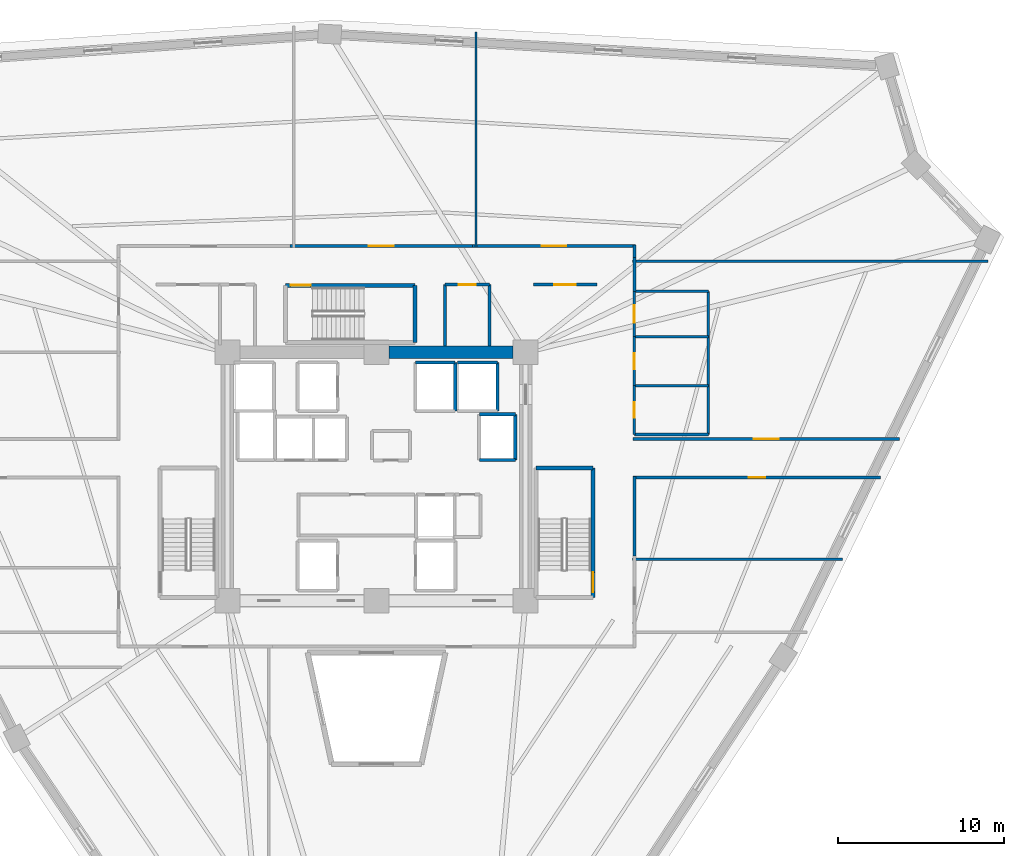
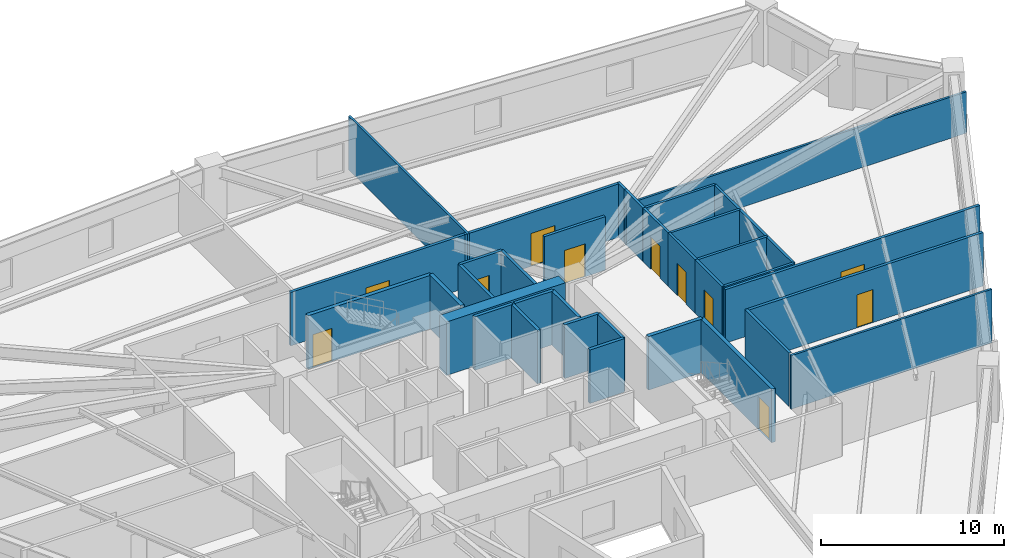
# One storey, part 6 of 8: 34 walls, 11 doors, 11 openings.
"""IFC4 building model written with IfcOpenShell, lengths in metres."""

import ifcopenshell
import ifcopenshell.guid

model = None  # the IFC model being written
_history = None  # IfcOwnerHistory: only IFC2X3 demands one
_inside = {}  # id of a spatial element -> (the spatial element, [elements in it])
_under = {}  # id of a project, library or spatial element -> (it, [spatial elements below it])
_declared = {}  # id of a project -> (the project, [libraries it declares])
_typed = {}  # id of a type object -> (the type object, [elements of that type])
_made_of = {}  # id of a material, layer set ... -> (it, [elements and type objects made of it])


def new_model(schema):
    """Start an empty IFC model of exactly this schema.

    Asked for "IFC4X3", IfcOpenShell would pick the latest addendum, in which some entities
    have other attributes; the version numbers below select the first issue.
    IFC2X3 requires an IfcOwnerHistory on every rooted entity: one is made here for all.
    """
    global model, _history
    if schema == "IFC4X3":
        model = ifcopenshell.file(schema_version=(4, 3, 0, 0))
    else:
        model = ifcopenshell.file(schema=schema)
    _inside.clear()
    _under.clear()
    _declared.clear()
    _typed.clear()
    _made_of.clear()
    _history = None
    if model.schema == "IFC2X3":
        org = make("IfcOrganization", Name="unknown")
        user = make(
            "IfcPersonAndOrganization",
            ThePerson=make("IfcPerson", FamilyName="unknown"),
            TheOrganization=org,
        )
        app = make(
            "IfcApplication",
            ApplicationDeveloper=org,
            Version="unknown",
            ApplicationFullName="unknown",
            ApplicationIdentifier="unknown",
        )
        _history = make(
            "IfcOwnerHistory",
            OwningUser=user,
            OwningApplication=app,
            ChangeAction="ADDED",
            CreationDate=0,
        )
    return model


def make(cls, **values):
    """One entity of the class cls with the attributes given. An attribute that is None is left unset."""
    return model.create_entity(
        cls, **{name: value for name, value in values.items() if value is not None}
    )


def rooted(cls, **values):
    """An entity with a GlobalId (a new one), such as an element, a storey or a relation."""
    return make(cls, GlobalId=ifcopenshell.guid.new(), OwnerHistory=_history, **values)


def si_unit(unit_type, name, prefix=None):
    """IfcSIUnit, for example si_unit("LENGTHUNIT", "METRE", prefix="MILLI")."""
    return make("IfcSIUnit", UnitType=unit_type, Prefix=prefix, Name=name)


def assignment(units):
    """IfcUnitAssignment: the units of a project."""
    return None if units is None else make("IfcUnitAssignment", Units=units)


def point(xyz):
    """IfcCartesianPoint."""
    return None if xyz is None else make("IfcCartesianPoint", Coordinates=xyz)


def direction(xyz):
    """IfcDirection."""
    return None if xyz is None else make("IfcDirection", DirectionRatios=xyz)


def frame(location, z_axis=None, x_axis=None):
    """IfcAxis2Placement3D, a coordinate frame: its origin and axes. An axis left out is left unset."""
    return make(
        "IfcAxis2Placement3D",
        Location=point(location),
        Axis=direction(z_axis),
        RefDirection=direction(x_axis),
    )


def frame_2d(location, x_axis=None):
    """IfcAxis2Placement2D, a coordinate frame in the plane: its origin and x axis."""
    return make(
        "IfcAxis2Placement2D", Location=point(location), RefDirection=direction(x_axis)
    )


def origin():
    """The frame at (0, 0, 0) with its axes left unset."""
    return frame((0.0, 0.0, 0.0))


def place(relative_to, where):
    """IfcLocalPlacement: puts the frame where relative to a parent placement (None: the world)."""
    return make(
        "IfcLocalPlacement", PlacementRelTo=relative_to, RelativePlacement=where
    )


def context(
    kind, dimensions, precision=None, world=None, true_north=None, identifier=None
):
    """IfcGeometricRepresentationContext, for example the 3D "Model" context."""
    return make(
        "IfcGeometricRepresentationContext",
        ContextIdentifier=identifier,
        ContextType=kind,
        CoordinateSpaceDimension=dimensions,
        Precision=precision,
        WorldCoordinateSystem=world,
        TrueNorth=true_north,
    )


def subcontext(parent, identifier, kind, view, scale=None):
    """IfcGeometricRepresentationSubContext, for example "Body" below "Model"."""
    return make(
        "IfcGeometricRepresentationSubContext",
        ContextIdentifier=identifier,
        ContextType=kind,
        ParentContext=parent,
        TargetScale=scale,
        TargetView=view,
    )


def project(units=None, contexts=None):
    """IfcProject with its units and contexts."""
    return rooted(
        "IfcProject",
        Name="project",
        RepresentationContexts=contexts,
        UnitsInContext=assignment(units),
    )


def spatial(cls, under=None, at=None, **own):
    """A site, building, storey or space (cls), placed at a placement, below another one or the project."""
    s = rooted(cls, ObjectPlacement=at, **own)
    if under is not None:
        _under.setdefault(under.id(), (under, []))[1].append(s)
    return s


def profile(cls, at=None, kind="AREA", **sizes):
    """A parametric profile (cls). Its sizes go by their IFC names, for example OverallWidth=200.0."""
    return make(cls, ProfileType=kind, Position=at, **sizes)


def rectangle(**sizes):
    """IfcRectangleProfileDef."""
    return profile("IfcRectangleProfileDef", **sizes)


def extrude(swept, where, along, depth):
    """IfcExtrudedAreaSolid: the profile swept, set in the frame where, extruded along a direction by depth."""
    return make(
        "IfcExtrudedAreaSolid",
        SweptArea=swept,
        Position=where,
        ExtrudedDirection=direction(along),
        Depth=depth,
    )


def shape(context_of_items, identifier, shape_type, items):
    """IfcShapeRepresentation: the items that make up one representation, for example the "Body"."""
    return make(
        "IfcShapeRepresentation",
        ContextOfItems=context_of_items,
        RepresentationIdentifier=identifier,
        RepresentationType=shape_type,
        Items=items,
    )


def source(mapping_origin, context_of_items, identifier, shape_type, items):
    """IfcRepresentationMap: a shape defined once, which mapped items show again and again."""
    return make(
        "IfcRepresentationMap",
        MappingOrigin=mapping_origin,
        MappedRepresentation=shape(context_of_items, identifier, shape_type, items),
    )


def transform(
    local_origin,
    x_axis=None,
    y_axis=None,
    z_axis=None,
    scale=None,
    scale2=None,
    scale3=None,
    uniform=True,
):
    """IfcCartesianTransformationOperator3D, or its non-uniform kind. x_axis, y_axis, z_axis: its Axis1, 2, 3."""
    if uniform:
        return make(
            "IfcCartesianTransformationOperator3D",
            Axis1=direction(x_axis),
            Axis2=direction(y_axis),
            LocalOrigin=point(local_origin),
            Scale=scale,
            Axis3=direction(z_axis),
        )
    return make(
        "IfcCartesianTransformationOperator3DnonUniform",
        Axis1=direction(x_axis),
        Axis2=direction(y_axis),
        LocalOrigin=point(local_origin),
        Scale=scale,
        Axis3=direction(z_axis),
        Scale2=scale2,
        Scale3=scale3,
    )


def mapped(mapping_source, mapping_target):
    """IfcMappedItem: shows the shape of a source again, moved by a transform."""
    return make(
        "IfcMappedItem", MappingSource=mapping_source, MappingTarget=mapping_target
    )


def material(Name=None, Category=None):
    """IfcMaterial."""
    return make("IfcMaterial", Name=Name, Category=Category)


def layer(
    of_material, thickness, ventilated=None, Name=None, Category=None, Priority=None
):
    """IfcMaterialLayer: one layer of a wall or slab, of a material (None: an air gap)."""
    return make(
        "IfcMaterialLayer",
        Material=of_material,
        LayerThickness=thickness,
        IsVentilated=ventilated,
        Name=Name,
        Category=Category,
        Priority=Priority,
    )


def layer_set(layers, Name=None):
    """IfcMaterialLayerSet."""
    return make("IfcMaterialLayerSet", MaterialLayers=layers, LayerSetName=Name)


def made_of(thing, what):
    """Note that an element or type object is made of a material, layer set ...; save() writes the relation."""
    if what is not None:
        _made_of.setdefault(what.id(), (what, []))[1].append(thing)
    return thing


def type_object(cls, material=None, **own):
    """A type object (cls), such as IfcWallType, which elements share."""
    return made_of(rooted(cls, **own), material)


def element(
    cls,
    number,
    at=None,
    inside=None,
    cuts=None,
    type_object=None,
    material=None,
    context=None,
    identifier="Body",
    shape_type=None,
    held_by="IfcProductDefinitionShape",
    body=None,
    shapes=None,
    **own,
):
    """One element of the class cls, such as IfcWall. Its Tag is "e" and its number.

    at: its placement. inside: the storey or other place that contains it. cuts: it is an
    opening in that element (IfcRelVoidsElement). A single representation is given by context,
    identifier, shape_type and body (its items); several are given by shapes. held_by: the class
    of the entity that holds the representations. save() writes the other relations.
    """
    e = rooted(cls, Tag="e%d" % number, ObjectPlacement=at, **own)
    if body is not None:
        shapes = [shape(context, identifier, shape_type, body)]
    if shapes is not None:
        e.Representation = make(held_by, Representations=shapes)
    if inside is not None:
        _inside.setdefault(inside.id(), (inside, []))[1].append(e)
    if cuts is not None:
        rooted(
            "IfcRelVoidsElement", RelatingBuildingElement=cuts, RelatedOpeningElement=e
        )
    if type_object is not None:
        _typed.setdefault(type_object.id(), (type_object, []))[1].append(e)
    return made_of(e, material)


def fill(opening, filler):
    """IfcRelFillsElement: the door or window that sits in an opening."""
    return rooted(
        "IfcRelFillsElement",
        RelatingOpeningElement=opening,
        RelatedBuildingElement=filler,
    )


def aggregate(whole, parts):
    """IfcRelAggregates: a whole, such as a stair, and the parts it consists of."""
    return rooted("IfcRelAggregates", RelatingObject=whole, RelatedObjects=parts)


def save(model, path):
    """Write the relations noted so far, then the file.

    IfcRelAggregates (storeys below a building ...), IfcRelContainedInSpatialStructure (elements
    in a storey), IfcRelDefinesByType, IfcRelAssociatesMaterial and IfcRelDeclares: one each for
    every whole, place, type object, material and project.
    """
    for whole, parts in _under.values():
        aggregate(whole, parts)
    for where, things in _inside.values():
        rooted(
            "IfcRelContainedInSpatialStructure",
            RelatedElements=things,
            RelatingStructure=where,
        )
    for kind, things in _typed.values():
        rooted("IfcRelDefinesByType", RelatedObjects=things, RelatingType=kind)
    for what, things in _made_of.values():
        rooted("IfcRelAssociatesMaterial", RelatedObjects=things, RelatingMaterial=what)
    for by, libraries in _declared.values():
        rooted("IfcRelDeclares", RelatingContext=by, RelatedDefinitions=libraries)
    model.write(path)


model = new_model("IFC4")

# Units and contexts
model_context = context("Model", 3, precision=1e-05, world=origin(), true_north=direction((0.0, 1.0)))
body_context = subcontext(model_context, "Body", "Model", "MODEL_VIEW")
ifc_project = project(units=[si_unit("LENGTHUNIT", "METRE"), si_unit("AREAUNIT", "SQUARE_METRE"), si_unit("VOLUMEUNIT", "CUBIC_METRE"), si_unit("PLANEANGLEUNIT", "RADIAN"), si_unit("MASSUNIT", "GRAM", prefix="KILO")], contexts=[model_context])

# Site, building, storey
site_placement = place(None, origin())
site = spatial("IfcSite", under=ifc_project, at=site_placement, CompositionType="ELEMENT")
building_placement = place(site_placement, origin())
building = spatial("IfcBuilding", under=site, at=building_placement, Name="Liaohun Quay Tower", CompositionType="ELEMENT")
storey_placement = place(building_placement, frame((0.0, 0.0, 105.75)))
storey = spatial("IfcBuildingStorey", under=building, at=storey_placement, Name="L27", CompositionType="ELEMENT", Elevation=105.75)

# Wall
ifc_material_1 = material(Name="Concrete C60", Category="concrete")
ifc_layer_1 = layer(ifc_material_1, 0.75, Name="Concrete C60", Category="concrete")
ifc_layer_set_1 = layer_set([ifc_layer_1], Name="Concrete C60")
wall_type_1 = type_object("IfcWallType", Name="WAL-COR-Z2", PredefinedType="SHEAR", material=ifc_layer_set_1)
wall_1_placement = place(storey_placement, frame((60.75, 61.5, 0.0), z_axis=(0.0, 0.0, 1.0), x_axis=(1.0, 0.0, 0.0)))
element("IfcWall", 1, at=wall_1_placement, inside=storey, type_object=wall_type_1, Name="L27 Central Core Shear Wall N-E", PredefinedType="SHEAR", context=body_context, shape_type="SweptSolid", body=[
    extrude(rectangle(XDim=7.5, YDim=0.75, at=frame_2d((3.75, 0.0))), origin(), (0.0, 0.0, 1.0), 3.570068359375),
])

# Wall, opening, door
ifc_material_2 = material(Name="Autoclaved aerated concrete blockwork", Category="masonry")
ifc_layer_2 = layer(ifc_material_2, 0.179931640625, Name="Autoclaved aerated concrete blockwork", Category="masonry")
ifc_layer_set_2 = layer_set([ifc_layer_2], Name="Autoclaved aerated concrete blockwork")
wall_type_2 = type_object("IfcWallType", Name="WAL-PRT-COR", PredefinedType="PARTITIONING", material=ifc_layer_set_2)
wall_2_placement = place(storey_placement, frame((64.139892578125, 65.580078125, 0.0), z_axis=(0.0, 0.0, 1.0), x_axis=(1.0, 0.0, 0.0)))
wall_2 = element("IfcWall", 2, at=wall_2_placement, inside=storey, type_object=wall_type_2, Name="L27 Interior Partition Wall 008", PredefinedType="PARTITIONING", context=body_context, shape_type="SweptSolid", body=[
    extrude(rectangle(XDim=2.670166015625, YDim=0.179931640625, at=frame_2d((1.3349609375, 0.0))), origin(), (0.0, 0.0, 1.0), 3.570068359375),
])
shared_shape_1 = source(origin(), body_context, "Body", "SweptSolid", [
    extrude(rectangle(XDim=1.0, YDim=2.199951171875, at=frame_2d((0.5, 1.10009765625))), frame((0.0, 0.099853515625, 0.0), z_axis=(0.0, -1.0, 0.0), x_axis=(1.0, 0.0, 0.0)), (0.0, 0.0, 1.0), 0.199951171875),
])
opening_1_placement = place(wall_2_placement, frame((0.8349609375, 0.0, 0.0)))
opening_1 = element("IfcOpeningElement", 3, at=opening_1_placement, cuts=wall_2, Name="Opening OD1", PredefinedType="OPENING", context=body_context, shape_type="MappedRepresentation", body=[
    mapped(shared_shape_1, transform((0.0, 0.0, 0.0), x_axis=(1.0, 0.0, 0.0), y_axis=(0.0, 1.0, 0.0), z_axis=(0.0, 0.0, 1.0), scale=1.0)),
])
ifc_material_3 = material(Name="Solid-core oak veneer timber leaf in steel frame", Category="steel")
door_type_1 = type_object("IfcDoorType", Name="DOR-OFF-1000", OperationType="NOTDEFINED", PredefinedType="DOOR", material=ifc_material_3)
shared_shape_2 = source(origin(), body_context, "Body", "SweptSolid", [
    extrude(rectangle(XDim=1.0, YDim=2.199951171875, at=frame_2d((0.5, 1.10009765625))), frame((0.0, 0.02490234375, 0.0), z_axis=(0.0, -1.0, 0.0), x_axis=(1.0, 0.0, 0.0)), (0.0, 0.0, 1.0), 0.050048828125),
])
door_1_placement = place(opening_1_placement, origin())
door_1 = element("IfcDoor", 4, at=door_1_placement, inside=storey, type_object=door_type_1, Name="L27 North-East Server Closet Door", OperationType="SINGLE_SWING_LEFT", OverallHeight=2.199951171875, OverallWidth=1.0, PredefinedType="DOOR", context=body_context, shape_type="MappedRepresentation", body=[
    mapped(shared_shape_2, transform((0.0, 0.0, 0.0), x_axis=(1.0, 0.0, 0.0), y_axis=(0.0, 1.0, 0.0), z_axis=(0.0, 0.0, 1.0), scale=1.0)),
])
fill(opening_1, door_1)

wall_3_placement = place(storey_placement, frame((69.4599609375, 65.580078125, 0.0), z_axis=(0.0, 0.0, 1.0), x_axis=(1.0, 0.0, 0.0)))
wall_3 = element("IfcWall", 5, at=wall_3_placement, inside=storey, type_object=wall_type_2, Name="L27 Interior Partition Wall 010", PredefinedType="PARTITIONING", context=body_context, shape_type="SweptSolid", body=[
    extrude(rectangle(XDim=3.840087890625, YDim=0.179931640625, at=frame_2d((1.919921875, 0.0))), origin(), (0.0, 0.0, 1.0), 3.570068359375),
])
shared_shape_3 = source(origin(), body_context, "Body", "SweptSolid", [
    extrude(rectangle(XDim=1.300048828125, YDim=2.199951171875, at=frame_2d((0.64990234375, 1.10009765625))), frame((0.0, 0.099853515625, 0.0), z_axis=(0.0, -1.0, 0.0), x_axis=(1.0, 0.0, 0.0)), (0.0, 0.0, 1.0), 0.199951171875),
])
opening_2_placement = place(wall_3_placement, frame((1.27001953125, 0.0, 0.0)))
opening_2 = element("IfcOpeningElement", 6, at=opening_2_placement, cuts=wall_3, Name="Opening FD1", PredefinedType="OPENING", context=body_context, shape_type="MappedRepresentation", body=[
    mapped(shared_shape_3, transform((0.0, 0.0, 0.0), x_axis=(1.0, 0.0, 0.0), y_axis=(0.0, 1.0, 0.0), z_axis=(0.0, 0.0, 1.0), scale=1.0)),
])
ifc_material_4 = material(Name="Galvanised steel smokeproof fire door", Category="steel")
door_type_2 = type_object("IfcDoorType", Name="DOR-FFL-1300", OperationType="NOTDEFINED", PredefinedType="DOOR", material=ifc_material_4)
shared_shape_4 = source(origin(), body_context, "Body", "SweptSolid", [
    extrude(rectangle(XDim=1.300048828125, YDim=2.199951171875, at=frame_2d((0.64990234375, 1.10009765625))), frame((0.0, 0.02490234375, 0.0), z_axis=(0.0, -1.0, 0.0), x_axis=(1.0, 0.0, 0.0)), (0.0, 0.0, 1.0), 0.050048828125),
])
door_2_placement = place(opening_2_placement, origin())
door_2 = element("IfcDoor", 7, at=door_2_placement, inside=storey, type_object=door_type_2, Name="L27 East Core Vestibule Door", OperationType="SINGLE_SWING_LEFT", OverallHeight=2.199951171875, OverallWidth=1.300048828125, PredefinedType="DOOR", context=body_context, shape_type="MappedRepresentation", body=[
    mapped(shared_shape_4, transform((0.0, 0.0, 0.0), x_axis=(1.0, 0.0, 0.0), y_axis=(0.0, 1.0, 0.0), z_axis=(0.0, 0.0, 1.0), scale=1.0)),
])
fill(opening_2, door_2)

wall_4_placement = place(storey_placement, frame((75.489990234375, 56.260009765625, 0.0), z_axis=(0.0, 0.0, 1.0), x_axis=(1.0, 0.0, 0.0)))
wall_4 = element("IfcWall", 8, at=wall_4_placement, inside=storey, type_object=wall_type_2, Name="L27 Interior Partition Wall 011", PredefinedType="PARTITIONING", context=body_context, shape_type="SweptSolid", body=[
    extrude(rectangle(XDim=16.06689453125, YDim=0.179931640625, at=frame_2d((8.033447265625, 0.0))), origin(), (0.0, 0.0, 1.0), 3.570068359375),
])
shared_shape_5 = source(origin(), body_context, "Body", "SweptSolid", [
    extrude(rectangle(XDim=1.5, YDim=2.199951171875, at=frame_2d((0.75, 1.10009765625))), frame((0.0, 0.099853515625, 0.0), z_axis=(0.0, -1.0, 0.0), x_axis=(1.0, 0.0, 0.0)), (0.0, 0.0, 1.0), 0.199951171875),
])
opening_3_placement = place(wall_4_placement, frame((7.283935546875, 0.0, 0.0)))
opening_3 = element("IfcOpeningElement", 9, at=opening_3_placement, cuts=wall_4, Name="Opening OD2", PredefinedType="OPENING", context=body_context, shape_type="MappedRepresentation", body=[
    mapped(shared_shape_5, transform((0.0, 0.0, 0.0), x_axis=(1.0, 0.0, 0.0), y_axis=(0.0, 1.0, 0.0), z_axis=(0.0, 0.0, 1.0), scale=1.0)),
])
ifc_material_5 = material(Name="Acoustic oak veneer double door")
door_type_3 = type_object("IfcDoorType", Name="DOR-OFF-1500", OperationType="DOUBLE_DOOR_SINGLE_SWING", PredefinedType="DOOR", material=ifc_material_5)
shared_shape_6 = source(origin(), body_context, "Body", "SweptSolid", [
    extrude(rectangle(XDim=1.5, YDim=2.199951171875, at=frame_2d((0.75, 1.10009765625))), frame((0.0, 0.02490234375, 0.0), z_axis=(0.0, -1.0, 0.0), x_axis=(1.0, 0.0, 0.0)), (0.0, 0.0, 1.0), 0.050048828125),
])
door_3_placement = place(opening_3_placement, origin())
door_3 = element("IfcDoor", 10, at=door_3_placement, inside=storey, type_object=door_type_3, Name="L27 Architectural Design Studio 01 Door", OperationType="DOUBLE_DOOR_SINGLE_SWING", OverallHeight=2.199951171875, OverallWidth=1.5, PredefinedType="DOOR", context=body_context, shape_type="MappedRepresentation", body=[
    mapped(shared_shape_6, transform((0.0, 0.0, 0.0), x_axis=(1.0, 0.0, 0.0), y_axis=(0.0, 1.0, 0.0), z_axis=(0.0, 0.0, 1.0), scale=1.0)),
])
fill(opening_3, door_3)

wall_5_placement = place(storey_placement, frame((65.784912109375, 67.909912109375, 0.0), z_axis=(0.0, 0.0, 1.0), x_axis=(1.0, 0.0, 0.0)))
wall_5 = element("IfcWall", 11, at=wall_5_placement, inside=storey, type_object=wall_type_2, Name="L27 Interior Partition Wall 012", PredefinedType="PARTITIONING", context=body_context, shape_type="SweptSolid", body=[
    extrude(rectangle(XDim=9.844970703125, YDim=0.179931640625, at=frame_2d((4.92236328125, 0.0))), origin(), (0.0, 0.0, 1.0), 3.570068359375),
])
opening_4_placement = place(wall_5_placement, frame((4.172119140625, 0.0, 0.0)))
opening_4 = element("IfcOpeningElement", 12, at=opening_4_placement, cuts=wall_5, Name="Opening OD2", PredefinedType="OPENING", context=body_context, shape_type="MappedRepresentation", body=[
    mapped(shared_shape_5, transform((0.0, 0.0, 0.0), x_axis=(1.0, 0.0, 0.0), y_axis=(0.0, 1.0, 0.0), z_axis=(0.0, 0.0, 1.0), scale=1.0)),
])
door_4_placement = place(opening_4_placement, origin())
door_4 = element("IfcDoor", 13, at=door_4_placement, inside=storey, type_object=door_type_3, Name="L27 Corporate Exhibition Gallery 02 Door", OperationType="DOUBLE_DOOR_SINGLE_SWING", OverallHeight=2.199951171875, OverallWidth=1.5, PredefinedType="DOOR", context=body_context, shape_type="MappedRepresentation", body=[
    mapped(shared_shape_6, transform((0.0, 0.0, 0.0), x_axis=(1.0, 0.0, 0.0), y_axis=(0.0, 1.0, 0.0), z_axis=(0.0, 0.0, 1.0), scale=1.0)),
])
fill(opening_4, door_4)

wall_6_placement = place(storey_placement, frame((54.784912109375, 67.909912109375, 0.0), z_axis=(0.0, 0.0, 1.0), x_axis=(1.0, 0.0, 0.0)))
wall_6 = element("IfcWall", 14, at=wall_6_placement, inside=storey, type_object=wall_type_2, Name="L27 Interior Partition Wall 013", PredefinedType="PARTITIONING", context=body_context, shape_type="SweptSolid", body=[
    extrude(rectangle(XDim=11.0, YDim=0.179931640625, at=frame_2d((5.5, 0.0))), origin(), (0.0, 0.0, 1.0), 3.570068359375),
])
opening_5_placement = place(wall_6_placement, frame((4.75, 0.0, 0.0)))
opening_5 = element("IfcOpeningElement", 15, at=opening_5_placement, cuts=wall_6, Name="Opening OD2", PredefinedType="OPENING", context=body_context, shape_type="MappedRepresentation", body=[
    mapped(shared_shape_5, transform((0.0, 0.0, 0.0), x_axis=(1.0, 0.0, 0.0), y_axis=(0.0, 1.0, 0.0), z_axis=(0.0, 0.0, 1.0), scale=1.0)),
])
door_5_placement = place(opening_5_placement, origin())
door_5 = element("IfcDoor", 16, at=door_5_placement, inside=storey, type_object=door_type_3, Name="L27 Architectural Design Studio 03 Door", OperationType="DOUBLE_DOOR_SINGLE_SWING", OverallHeight=2.199951171875, OverallWidth=1.5, PredefinedType="DOOR", context=body_context, shape_type="MappedRepresentation", body=[
    mapped(shared_shape_6, transform((0.0, 0.0, 0.0), x_axis=(1.0, 0.0, 0.0), y_axis=(0.0, 1.0, 0.0), z_axis=(0.0, 0.0, 1.0), scale=1.0)),
])
fill(opening_5, door_5)

wall_7_placement = place(storey_placement, frame((90.424072265625, 53.93994140625, 0.0), z_axis=(0.0, 0.0, 1.0), x_axis=(-1.0, 0.0, 0.0)))
wall_7 = element("IfcWall", 17, at=wall_7_placement, inside=storey, type_object=wall_type_2, Name="L27 Interior Partition Wall 022", PredefinedType="PARTITIONING", context=body_context, shape_type="SweptSolid", body=[
    extrude(rectangle(XDim=14.93408203125, YDim=0.179931640625, at=frame_2d((7.467041015625, 0.0))), origin(), (0.0, 0.0, 1.0), 3.570068359375),
])
opening_6_placement = place(wall_7_placement, frame((6.967041015625, 0.0, 0.0)))
opening_6 = element("IfcOpeningElement", 18, at=opening_6_placement, cuts=wall_7, Name="Opening OD1", PredefinedType="OPENING", context=body_context, shape_type="MappedRepresentation", body=[
    mapped(shared_shape_1, transform((0.0, 0.0, 0.0), x_axis=(1.0, 0.0, 0.0), y_axis=(0.0, 1.0, 0.0), z_axis=(0.0, 0.0, 1.0), scale=1.0)),
])
door_6_placement = place(opening_6_placement, origin())
door_6 = element("IfcDoor", 19, at=door_6_placement, inside=storey, type_object=door_type_1, Name="L27 Client Reception Office 12 Door", OperationType="SINGLE_SWING_LEFT", OverallHeight=2.199951171875, OverallWidth=1.0, PredefinedType="DOOR", context=body_context, shape_type="MappedRepresentation", body=[
    mapped(shared_shape_2, transform((0.0, 0.0, 0.0), x_axis=(1.0, 0.0, 0.0), y_axis=(0.0, 1.0, 0.0), z_axis=(0.0, 0.0, 1.0), scale=1.0)),
])
fill(opening_6, door_6)

# Walls
for number, where, z_axis, x_axis, name in (
    (20, (64.139892578125, 61.875, 0.0), (0.0, 0.0, 1.0), (0.0, 1.0, 0.0), "L27 Interior Partition Wall 035"),
    (21, (66.81005859375, 61.875, 0.0), (0.0, 0.0, 1.0), (0.0, 1.0, 0.0), "L27 Interior Partition Wall 036"),
):
    element("IfcWall", number, at=place(storey_placement, frame(where, z_axis=z_axis, x_axis=x_axis)), inside=storey, type_object=wall_type_2, Name=name, PredefinedType="PARTITIONING", context=body_context, shape_type="SweptSolid", body=[
        extrude(rectangle(XDim=3.705078125, YDim=0.179931640625, at=frame_2d((1.8525390625, 0.0))), origin(), (0.0, 0.0, 1.0), 3.570068359375),
    ])
wall_8_placement = place(storey_placement, frame((75.56005859375, 67.215087890625, 0.0), z_axis=(0.0, 0.0, 1.0), x_axis=(0.0, -1.0, 0.0)))
element("IfcWall", 22, at=wall_8_placement, inside=storey, type_object=wall_type_2, Name="L27 Interior Partition Wall 037", PredefinedType="PARTITIONING", context=body_context, shape_type="SweptSolid", body=[
    extrude(rectangle(XDim=2.03515625, YDim=0.179931640625, at=frame_2d((1.017578125, 0.0))), origin(), (0.0, 0.0, 1.0), 3.570068359375),
])
wall_9_placement = place(storey_placement, frame((75.56005859375, 67.97998046875, 0.0), z_axis=(0.0, 0.0, 1.0), x_axis=(0.0, -1.0, 0.0)))
element("IfcWall", 23, at=wall_9_placement, inside=storey, type_object=wall_type_2, Name="L27 Interior Partition Wall 038", PredefinedType="PARTITIONING", context=body_context, shape_type="SweptSolid", body=[
    extrude(rectangle(XDim=0.764892578125, YDim=0.179931640625, at=frame_2d((0.38232421875, 0.0))), origin(), (0.0, 0.0, 1.0), 3.570068359375),
])
wall_10_placement = place(storey_placement, frame((75.56005859375, 54.010009765625, 0.0), z_axis=(0.0, 0.0, 1.0), x_axis=(0.0, -1.0, 0.0)))
element("IfcWall", 24, at=wall_10_placement, inside=storey, type_object=wall_type_2, Name="L27 Interior Partition Wall 044", PredefinedType="PARTITIONING", context=body_context, shape_type="SweptSolid", body=[
    extrude(rectangle(XDim=4.794921875, YDim=0.179931640625, at=frame_2d((2.3974609375, 0.0))), origin(), (0.0, 0.0, 1.0), 3.570068359375),
])
ifc_material_6 = material(Name="Gypsum board on twin steel studs", Category="steel")
ifc_layer_3 = layer(ifc_material_6, 0.139892578125, Name="Gypsum board on twin steel studs", Category="steel")
ifc_layer_set_3 = layer_set([ifc_layer_3], Name="Gypsum board on twin steel studs")
wall_type_3 = type_object("IfcWallType", Name="WAL-PRT-OFF", PredefinedType="PARTITIONING", material=ifc_layer_set_3)
wall_11_placement = place(storey_placement, frame((75.4599609375, 49.0, 0.0), z_axis=(0.0, 0.0, 1.0), x_axis=(1.0, 0.0, 0.0)))
element("IfcWall", 25, at=wall_11_placement, inside=storey, type_object=wall_type_3, Name="L27 Interior Partition Wall 051", PredefinedType="PARTITIONING", context=body_context, shape_type="SweptSolid", body=[
    extrude(rectangle(XDim=12.657958984375, YDim=0.139892578125, at=frame_2d((6.3291015625, 0.0))), origin(), (0.0, 0.0, 1.0), 3.570068359375),
])
wall_12_placement = place(storey_placement, frame((75.4599609375, 67.0, 0.0), z_axis=(0.0, 0.0, 1.0), x_axis=(1.0, 0.0, 0.0)))
element("IfcWall", 26, at=wall_12_placement, inside=storey, type_object=wall_type_3, Name="L27 Interior Partition Wall 052", PredefinedType="PARTITIONING", context=body_context, shape_type="SweptSolid", body=[
    extrude(rectangle(XDim=21.453125, YDim=0.139892578125, at=frame_2d((10.7265625, 0.0))), origin(), (0.0, 0.0, 1.0), 2.7548828125),
])
wall_13_placement = place(storey_placement, frame((66.0, 67.81005859375, 0.0), z_axis=(0.0, 0.0, 1.0), x_axis=(0.0, 1.0, 0.0)))
element("IfcWall", 27, at=wall_13_placement, inside=storey, type_object=wall_type_3, Name="L27 Interior Partition Wall 054", PredefinedType="PARTITIONING", context=body_context, shape_type="SweptSolid", body=[
    extrude(rectangle(XDim=13.008056640625, YDim=0.139892578125, at=frame_2d((6.50390625, 0.0))), origin(), (0.0, 0.0, 1.0), 3.570068359375),
])

# Wall, opening, door
ifc_material_7 = material(Name="Moisture-resistant masonry blockwork", Category="masonry")
ifc_layer_4 = layer(ifc_material_7, 0.159912109375, Name="Moisture-resistant masonry blockwork", Category="masonry")
ifc_layer_set_4 = layer_set([ifc_layer_4], Name="Moisture-resistant masonry blockwork")
wall_type_4 = type_object("IfcWallType", Name="WAL-PRT-WET", PredefinedType="PARTITIONING", material=ifc_layer_set_4)
wall_14_placement = place(storey_placement, frame((75.56005859375, 56.5400390625, 0.0), z_axis=(0.0, 0.0, 1.0), x_axis=(0.0, 1.0, 0.0)))
wall_14 = element("IfcWall", 28, at=wall_14_placement, inside=storey, type_object=wall_type_4, Name="L27 Interior Partition Wall 004", PredefinedType="PARTITIONING", context=body_context, shape_type="SweptSolid", body=[
    extrude(rectangle(XDim=2.93994140625, YDim=0.159912109375, at=frame_2d((1.469970703125, 0.0))), origin(), (0.0, 0.0, 1.0), 3.570068359375),
])
shared_shape_7 = source(origin(), body_context, "Body", "SweptSolid", [
    extrude(rectangle(XDim=0.949951171875, YDim=2.14990234375, at=frame_2d((0.47509765625, 1.074951171875))), frame((0.0, 0.08984375, 0.0), z_axis=(0.0, -1.0, 0.0), x_axis=(1.0, 0.0, 0.0)), (0.0, 0.0, 1.0), 0.179931640625),
])
opening_7_placement = place(wall_14_placement, frame((0.9951171875, 0.0, 0.0)))
opening_7 = element("IfcOpeningElement", 29, at=opening_7_placement, cuts=wall_14, Name="Opening WD1", PredefinedType="OPENING", context=body_context, shape_type="MappedRepresentation", body=[
    mapped(shared_shape_7, transform((0.0, 0.0, 0.0), x_axis=(1.0, 0.0, 0.0), y_axis=(0.0, 1.0, 0.0), z_axis=(0.0, 0.0, 1.0), scale=1.0)),
])
ifc_material_8 = material(Name="Moisture-resistant laminate timber leaf", Category="wood")
door_type_4 = type_object("IfcDoorType", Name="DOR-WC-950", OperationType="NOTDEFINED", PredefinedType="DOOR", material=ifc_material_8)
shared_shape_8 = source(origin(), body_context, "Body", "SweptSolid", [
    extrude(rectangle(XDim=0.949951171875, YDim=2.14990234375, at=frame_2d((0.47509765625, 1.074951171875))), frame((0.0, 0.02490234375, 0.0), z_axis=(0.0, -1.0, 0.0), x_axis=(1.0, 0.0, 0.0)), (0.0, 0.0, 1.0), 0.050048828125),
])
door_7_placement = place(opening_7_placement, origin())
door_7 = element("IfcDoor", 30, at=door_7_placement, inside=storey, type_object=door_type_4, Name="L27 Male Restroom WC Door", OperationType="SINGLE_SWING_LEFT", OverallHeight=2.14990234375, OverallWidth=0.949951171875, PredefinedType="DOOR", context=body_context, shape_type="MappedRepresentation", body=[
    mapped(shared_shape_8, transform((0.0, 0.0, 0.0), x_axis=(1.0, 0.0, 0.0), y_axis=(0.0, 1.0, 0.0), z_axis=(0.0, 0.0, 1.0), scale=1.0)),
])
fill(opening_7, door_7)

wall_15_placement = place(storey_placement, frame((75.56005859375, 59.47998046875, 0.0), z_axis=(0.0, 0.0, 1.0), x_axis=(0.0, 1.0, 0.0)))
wall_15 = element("IfcWall", 31, at=wall_15_placement, inside=storey, type_object=wall_type_4, Name="L27 Interior Partition Wall 005", PredefinedType="PARTITIONING", context=body_context, shape_type="SweptSolid", body=[
    extrude(rectangle(XDim=2.9599609375, YDim=0.159912109375, at=frame_2d((1.47998046875, 0.0))), origin(), (0.0, 0.0, 1.0), 3.570068359375),
])
opening_8_placement = place(wall_15_placement, frame((1.0048828125, 0.0, 0.0)))
opening_8 = element("IfcOpeningElement", 32, at=opening_8_placement, cuts=wall_15, Name="Opening WD1", PredefinedType="OPENING", context=body_context, shape_type="MappedRepresentation", body=[
    mapped(shared_shape_7, transform((0.0, 0.0, 0.0), x_axis=(1.0, 0.0, 0.0), y_axis=(0.0, 1.0, 0.0), z_axis=(0.0, 0.0, 1.0), scale=1.0)),
])
door_8_placement = place(opening_8_placement, origin())
door_8 = element("IfcDoor", 33, at=door_8_placement, inside=storey, type_object=door_type_4, Name="L27 Female Restroom WC Door", OperationType="SINGLE_SWING_RIGHT", OverallHeight=2.14990234375, OverallWidth=0.949951171875, PredefinedType="DOOR", context=body_context, shape_type="MappedRepresentation", body=[
    mapped(shared_shape_8, transform((0.0, 0.0, 0.0), x_axis=(1.0, 0.0, 0.0), y_axis=(0.0, 1.0, 0.0), z_axis=(0.0, 0.0, 1.0), scale=1.0)),
])
fill(opening_8, door_8)

wall_16_placement = place(storey_placement, frame((75.56005859375, 62.43994140625, 0.0), z_axis=(0.0, 0.0, 1.0), x_axis=(0.0, 1.0, 0.0)))
wall_16 = element("IfcWall", 34, at=wall_16_placement, inside=storey, type_object=wall_type_4, Name="L27 Interior Partition Wall 006", PredefinedType="PARTITIONING", context=body_context, shape_type="SweptSolid", body=[
    extrude(rectangle(XDim=2.739990234375, YDim=0.159912109375, at=frame_2d((1.3701171875, 0.0))), origin(), (0.0, 0.0, 1.0), 3.570068359375),
])
shared_shape_9 = source(origin(), body_context, "Body", "SweptSolid", [
    extrude(rectangle(XDim=1.050048828125, YDim=2.14990234375, at=frame_2d((0.52490234375, 1.074951171875))), frame((0.0, 0.08984375, 0.0), z_axis=(0.0, -1.0, 0.0), x_axis=(1.0, 0.0, 0.0)), (0.0, 0.0, 1.0), 0.179931640625),
])
opening_9_placement = place(wall_16_placement, frame((0.844970703125, 0.0, 0.0)))
opening_9 = element("IfcOpeningElement", 35, at=opening_9_placement, cuts=wall_16, Name="Opening WD2", PredefinedType="OPENING", context=body_context, shape_type="MappedRepresentation", body=[
    mapped(shared_shape_9, transform((0.0, 0.0, 0.0), x_axis=(1.0, 0.0, 0.0), y_axis=(0.0, 1.0, 0.0), z_axis=(0.0, 0.0, 1.0), scale=1.0)),
])
ifc_material_9 = material(Name="Accessible outward-swinging laminate door")
door_type_5 = type_object("IfcDoorType", Name="DOR-AWC-1050", OperationType="NOTDEFINED", PredefinedType="DOOR", material=ifc_material_9)
shared_shape_10 = source(origin(), body_context, "Body", "SweptSolid", [
    extrude(rectangle(XDim=1.050048828125, YDim=2.14990234375, at=frame_2d((0.52490234375, 1.074951171875))), frame((0.0, 0.02490234375, 0.0), z_axis=(0.0, -1.0, 0.0), x_axis=(1.0, 0.0, 0.0)), (0.0, 0.0, 1.0), 0.050048828125),
])
door_9_placement = place(opening_9_placement, origin())
door_9 = element("IfcDoor", 36, at=door_9_placement, inside=storey, type_object=door_type_5, Name="L27 Accessible WC Door", OperationType="SINGLE_SWING_LEFT", OverallHeight=2.14990234375, OverallWidth=1.050048828125, PredefinedType="DOOR", context=body_context, shape_type="MappedRepresentation", body=[
    mapped(shared_shape_10, transform((0.0, 0.0, 0.0), x_axis=(1.0, 0.0, 0.0), y_axis=(0.0, 1.0, 0.0), z_axis=(0.0, 0.0, 1.0), scale=1.0)),
])
fill(opening_9, door_9)

# Walls
wall_17_placement = place(storey_placement, frame((80.02001953125, 56.5400390625, 0.0), z_axis=(0.0, 0.0, 1.0), x_axis=(0.0, 1.0, 0.0)))
element("IfcWall", 37, at=wall_17_placement, inside=storey, type_object=wall_type_4, Name="L27 Interior Partition Wall 028", PredefinedType="PARTITIONING", context=body_context, shape_type="SweptSolid", body=[
    extrude(rectangle(XDim=8.639892578125, YDim=0.159912109375, at=frame_2d((4.31982421875, 0.0))), origin(), (0.0, 0.0, 1.0), 3.570068359375),
])
for number, where, z_axis, x_axis, name in (
    (38, (75.56005859375, 56.5400390625, 0.0), (0.0, 0.0, 1.0), (1.0, 0.0, 0.0), "L27 Interior Partition Wall 029"),
    (39, (75.56005859375, 59.47998046875, 0.0), (0.0, 0.0, 1.0), (1.0, 0.0, 0.0), "L27 Interior Partition Wall 030"),
    (40, (75.56005859375, 62.43994140625, 0.0), (0.0, 0.0, 1.0), (1.0, 0.0, 0.0), "L27 Interior Partition Wall 031"),
    (41, (75.56005859375, 65.179931640625, 0.0), (0.0, 0.0, 1.0), (1.0, 0.0, 0.0), "L27 Interior Partition Wall 032"),
):
    element("IfcWall", number, at=place(storey_placement, frame(where, z_axis=z_axis, x_axis=x_axis)), inside=storey, type_object=wall_type_4, Name=name, PredefinedType="PARTITIONING", context=body_context, shape_type="SweptSolid", body=[
        extrude(rectangle(XDim=4.4599609375, YDim=0.159912109375, at=frame_2d((2.22998046875, 0.0))), origin(), (0.0, 0.0, 1.0), 3.570068359375),
    ])

# Wall, opening, door
ifc_material_10 = material(Name="Concrete C50", Category="concrete")
ifc_layer_5 = layer(ifc_material_10, 0.239990234375, Name="Concrete C50", Category="concrete")
ifc_layer_set_5 = layer_set([ifc_layer_5], Name="Concrete C50")
wall_type_5 = type_object("IfcWallType", Name="WAL-SHF-200", PredefinedType="SOLIDWALL", material=ifc_layer_set_5)
wall_18_placement = place(storey_placement, frame((73.06005859375, 46.699951171875, 0.0), z_axis=(0.0, 0.0, 1.0), x_axis=(0.0, 1.0, 0.0)))
wall_18 = element("IfcWall", 42, at=wall_18_placement, inside=storey, type_object=wall_type_5, Name="L27 Stairwell ST-2 Structural Core Wall E", PredefinedType="SOLIDWALL", context=body_context, shape_type="SweptSolid", body=[
    extrude(rectangle(XDim=7.820068359375, YDim=0.239990234375, at=frame_2d((3.91015625, 0.0))), origin(), (0.0, 0.0, 1.0), 3.570068359375),
])
shared_shape_11 = source(origin(), body_context, "Body", "SweptSolid", [
    extrude(rectangle(XDim=1.199951171875, YDim=2.199951171875, at=frame_2d((0.60009765625, 1.10009765625))), frame((0.0, 0.1298828125, 0.0), z_axis=(0.0, -1.0, 0.0), x_axis=(1.0, 0.0, 0.0)), (0.0, 0.0, 1.0), 0.260009765625),
])
opening_10_placement = place(wall_18_placement, frame((0.320068359375, 0.0, 0.0)))
opening_10 = element("IfcOpeningElement", 43, at=opening_10_placement, cuts=wall_18, Name="Opening SD1", PredefinedType="OPENING", context=body_context, shape_type="MappedRepresentation", body=[
    mapped(shared_shape_11, transform((0.0, 0.0, 0.0), x_axis=(1.0, 0.0, 0.0), y_axis=(0.0, 1.0, 0.0), z_axis=(0.0, 0.0, 1.0), scale=1.0)),
])
ifc_material_11 = material(Name="Galvanised steel fire door", Category="steel")
door_type_6 = type_object("IfcDoorType", Name="DOR-STR-1200", OperationType="NOTDEFINED", PredefinedType="DOOR", material=ifc_material_11)
shared_shape_12 = source(origin(), body_context, "Body", "SweptSolid", [
    extrude(rectangle(XDim=1.199951171875, YDim=2.199951171875, at=frame_2d((0.60009765625, 1.10009765625))), frame((0.0, 0.02490234375, 0.0), z_axis=(0.0, -1.0, 0.0), x_axis=(1.0, 0.0, 0.0)), (0.0, 0.0, 1.0), 0.050048828125),
])
door_10_placement = place(opening_10_placement, origin())
door_10 = element("IfcDoor", 44, at=door_10_placement, inside=storey, type_object=door_type_6, Name="L27 Protected Stair ST-2 Fire Door", OperationType="SINGLE_SWING_RIGHT", OverallHeight=2.199951171875, OverallWidth=1.199951171875, PredefinedType="DOOR", context=body_context, shape_type="MappedRepresentation", body=[
    mapped(shared_shape_12, transform((0.0, 0.0, 0.0), x_axis=(1.0, 0.0, 0.0), y_axis=(0.0, 1.0, 0.0), z_axis=(0.0, 0.0, 1.0), scale=1.0)),
])
fill(opening_10, door_10)

# Walls
for number, where, z_axis, x_axis, name in (
    (45, (73.06005859375, 54.52001953125, 0.0), (0.0, 0.0, 1.0), (-1.0, 0.0, 0.0), "L27 Stairwell ST-2 Structural Core Wall N"),
    (46, (62.320068359375, 62.10009765625, 0.0), (0.0, 0.0, 1.0), (0.0, 1.0, 0.0), "L27 Stairwell ST-3 Structural Core Wall E"),
):
    element("IfcWall", number, at=place(storey_placement, frame(where, z_axis=z_axis, x_axis=x_axis)), inside=storey, type_object=wall_type_5, Name=name, PredefinedType="SOLIDWALL", context=body_context, shape_type="SweptSolid", body=[
        extrude(rectangle(XDim=3.43994140625, YDim=0.239990234375, at=frame_2d((1.719970703125, 0.0))), origin(), (0.0, 0.0, 1.0), 3.570068359375),
    ])

# Wall, opening, door
wall_19_placement = place(storey_placement, frame((62.320068359375, 65.5400390625, 0.0), z_axis=(0.0, 0.0, 1.0), x_axis=(-1.0, 0.0, 0.0)))
wall_19 = element("IfcWall", 47, at=wall_19_placement, inside=storey, type_object=wall_type_5, Name="L27 Stairwell ST-3 Structural Core Wall N", PredefinedType="SOLIDWALL", context=body_context, shape_type="SweptSolid", body=[
    extrude(rectangle(XDim=7.820068359375, YDim=0.239990234375, at=frame_2d((3.91015625, 0.0))), origin(), (0.0, 0.0, 1.0), 3.570068359375),
])
opening_11_placement = place(wall_19_placement, frame((6.300048828125, 0.0, 0.0)))
opening_11 = element("IfcOpeningElement", 48, at=opening_11_placement, cuts=wall_19, Name="Opening SD1", PredefinedType="OPENING", context=body_context, shape_type="MappedRepresentation", body=[
    mapped(shared_shape_11, transform((0.0, 0.0, 0.0), x_axis=(1.0, 0.0, 0.0), y_axis=(0.0, 1.0, 0.0), z_axis=(0.0, 0.0, 1.0), scale=1.0)),
])
door_11_placement = place(opening_11_placement, origin())
door_11 = element("IfcDoor", 49, at=door_11_placement, inside=storey, type_object=door_type_6, Name="L27 Protected Stair ST-3 Fire Door", OperationType="SINGLE_SWING_RIGHT", OverallHeight=2.199951171875, OverallWidth=1.199951171875, PredefinedType="DOOR", context=body_context, shape_type="MappedRepresentation", body=[
    mapped(shared_shape_12, transform((0.0, 0.0, 0.0), x_axis=(1.0, 0.0, 0.0), y_axis=(0.0, 1.0, 0.0), z_axis=(0.0, 0.0, 1.0), scale=1.0)),
])
fill(opening_11, door_11)

# Walls
wall_20_placement = place(storey_placement, frame((64.75, 57.949951171875, 0.0), z_axis=(0.0, 0.0, 1.0), x_axis=(0.0, 1.0, 0.0)))
element("IfcWall", 50, at=wall_20_placement, inside=storey, type_object=wall_type_5, Name="L27 Lift OB-01 Hoistway Wall E", PredefinedType="SOLIDWALL", context=body_context, shape_type="SweptSolid", body=[
    extrude(rectangle(XDim=2.929931640625, YDim=0.199951171875, at=frame_2d((1.46484375, 0.0))), origin(), (0.0, 0.0, 1.0), 3.570068359375),
])
wall_21_placement = place(storey_placement, frame((64.75, 60.8798828125, 0.0), z_axis=(0.0, 0.0, 1.0), x_axis=(-1.0, 0.0, 0.0)))
element("IfcWall", 51, at=wall_21_placement, inside=storey, type_object=wall_type_5, Name="L27 Lift OB-01 Hoistway Wall N", PredefinedType="SOLIDWALL", context=body_context, shape_type="SweptSolid", body=[
    extrude(rectangle(XDim=2.39990234375, YDim=0.199951171875, at=frame_2d((1.199951171875, 0.0))), origin(), (0.0, 0.0, 1.0), 3.570068359375),
])
wall_22_placement = place(storey_placement, frame((67.300048828125, 57.949951171875, 0.0), z_axis=(0.0, 0.0, 1.0), x_axis=(0.0, 1.0, 0.0)))
element("IfcWall", 52, at=wall_22_placement, inside=storey, type_object=wall_type_5, Name="L27 Lift OB-02 Hoistway Wall E", PredefinedType="SOLIDWALL", context=body_context, shape_type="SweptSolid", body=[
    extrude(rectangle(XDim=2.929931640625, YDim=0.199951171875, at=frame_2d((1.46484375, 0.0))), origin(), (0.0, 0.0, 1.0), 3.570068359375),
])
wall_23_placement = place(storey_placement, frame((67.300048828125, 60.8798828125, 0.0), z_axis=(0.0, 0.0, 1.0), x_axis=(-1.0, 0.0, 0.0)))
element("IfcWall", 53, at=wall_23_placement, inside=storey, type_object=wall_type_5, Name="L27 Lift OB-02 Hoistway Wall N", PredefinedType="SOLIDWALL", context=body_context, shape_type="SweptSolid", body=[
    extrude(rectangle(XDim=2.400146484375, YDim=0.199951171875, at=frame_2d((1.2001953125, 0.0))), origin(), (0.0, 0.0, 1.0), 3.570068359375),
])
wall_24_placement = place(storey_placement, frame((66.199951171875, 55.0, 0.0), z_axis=(0.0, 0.0, 1.0), x_axis=(1.0, 0.0, 0.0)))
element("IfcWall", 54, at=wall_24_placement, inside=storey, type_object=wall_type_5, Name="L27 Lift SH-03 Hoistway Wall S", PredefinedType="SOLIDWALL", context=body_context, shape_type="SweptSolid", body=[
    extrude(rectangle(XDim=2.179931640625, YDim=0.199951171875, at=frame_2d((1.08984375, 0.0))), origin(), (0.0, 0.0, 1.0), 3.570068359375),
])
wall_25_placement = place(storey_placement, frame((68.3798828125, 55.0, 0.0), z_axis=(0.0, 0.0, 1.0), x_axis=(0.0, 1.0, 0.0)))
element("IfcWall", 55, at=wall_25_placement, inside=storey, type_object=wall_type_5, Name="L27 Lift SH-03 Hoistway Wall E", PredefinedType="SOLIDWALL", context=body_context, shape_type="SweptSolid", body=[
    extrude(rectangle(XDim=2.75, YDim=0.199951171875, at=frame_2d((1.375, 0.0))), origin(), (0.0, 0.0, 1.0), 3.570068359375),
])
wall_26_placement = place(storey_placement, frame((68.3798828125, 57.75, 0.0), z_axis=(0.0, 0.0, 1.0), x_axis=(-1.0, 0.0, 0.0)))
element("IfcWall", 56, at=wall_26_placement, inside=storey, type_object=wall_type_5, Name="L27 Lift SH-03 Hoistway Wall N", PredefinedType="SOLIDWALL", context=body_context, shape_type="SweptSolid", body=[
    extrude(rectangle(XDim=2.179931640625, YDim=0.199951171875, at=frame_2d((1.08984375, 0.0))), origin(), (0.0, 0.0, 1.0), 3.570068359375),
])

save(model, "model.ifc")
